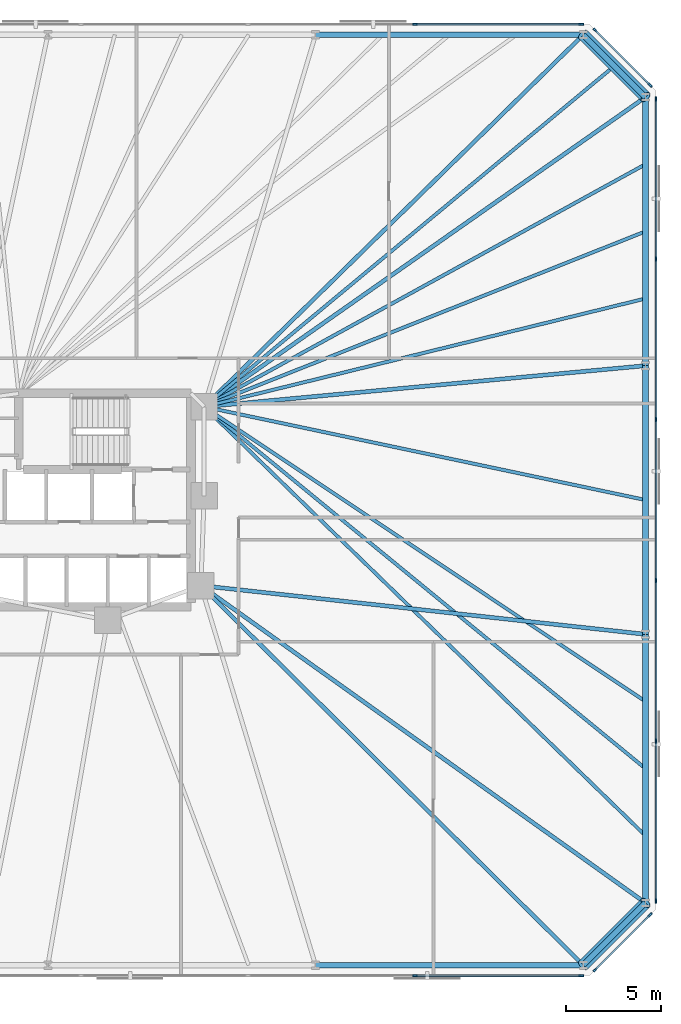
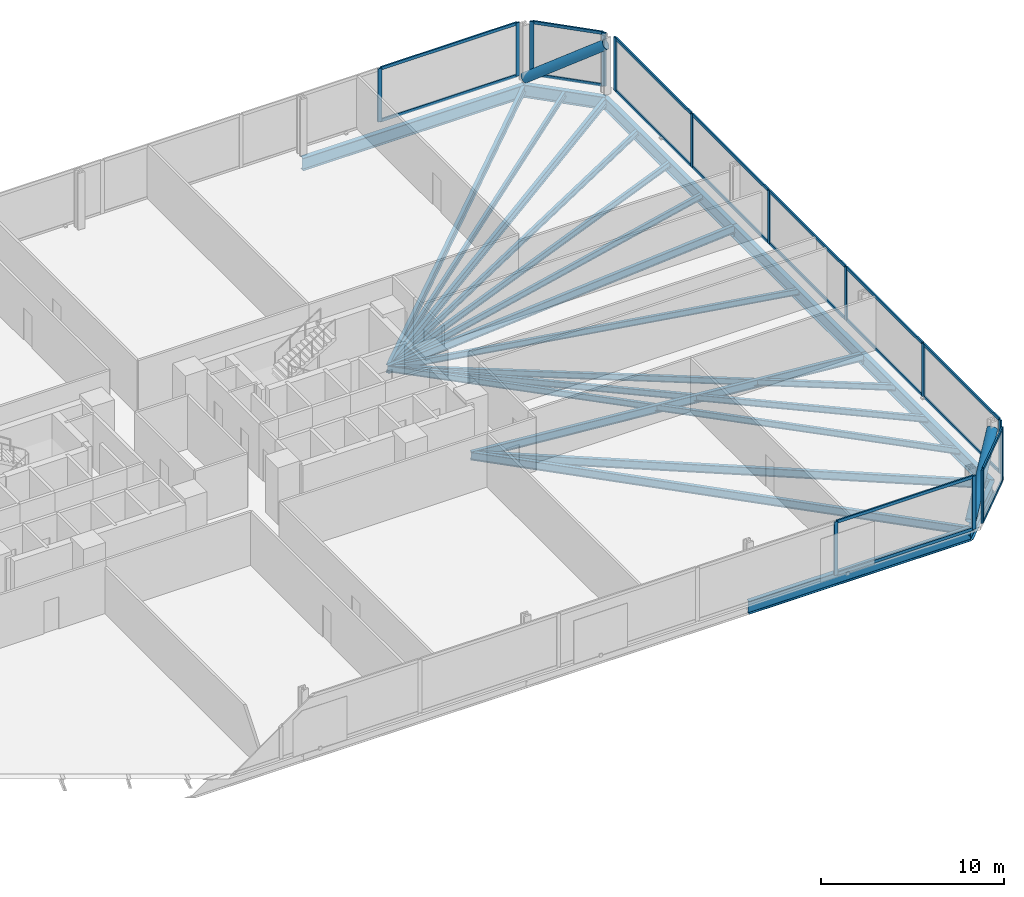
# One storey, part 10 of 17: 34 members, 21 beams, 5 elements without a shape of their own.
"""IFC4 building model written with IfcOpenShell, lengths in metres."""

from ifc_helpers import new_model, si_unit, direction, frame, origin, origin_2d, place, context, subcontext, project, spatial, rectangle, hollow_circle, i_section, extrude, material, material_profile, profile_set, type_object, element, aggregate, save


model = new_model("IFC4")

# Units and contexts
model_context = context("Model", 3, precision=1e-05, world=origin(), true_north=direction((0.0, 1.0)))
body_context = subcontext(model_context, "Body", "Model", "MODEL_VIEW")
ifc_project = project(units=[si_unit("LENGTHUNIT", "METRE"), si_unit("AREAUNIT", "SQUARE_METRE"), si_unit("VOLUMEUNIT", "CUBIC_METRE"), si_unit("PLANEANGLEUNIT", "RADIAN"), si_unit("MASSUNIT", "GRAM", prefix="KILO")], contexts=[model_context])

# Site, building, storey
site_placement = place(None, origin())
site = spatial("IfcSite", under=ifc_project, at=site_placement, CompositionType="ELEMENT")
building_placement = place(site_placement, origin())
building = spatial("IfcBuilding", under=site, at=building_placement, Name="Menara Jurai Vektor", CompositionType="ELEMENT")
storey_placement = place(building_placement, frame((0.0, 0.0, 71.199951171875)))
storey = spatial("IfcBuildingStorey", under=building, at=storey_placement, Name="L17", CompositionType="ELEMENT", Elevation=71.199951171875)

# Curtain wall, members
ifc_material_1 = material(Name="Anodised Pale Aluminium & Low-E Double Glazing", Category="aluminium")
curtain_wall_type = type_object("IfcCurtainWallType", Name="CW-BLK1", PredefinedType="NOTDEFINED", material=ifc_material_1)
curtain_wall_1_placement = place(storey_placement, origin())
curtain_wall_1 = element("IfcCurtainWall", 1, at=curtain_wall_1_placement, inside=storey, type_object=curtain_wall_type, Name="Unitised Curtain Wall L17 F01", PredefinedType="NOTDEFINED")
ifc_material_2 = material(Name="Anodised Pale Aluminium Mullion", Category="aluminium")
ifc_material_profile_1 = material_profile(ifc_material_2, rectangle(XDim=0.094970703125, YDim=0.239990234375, at=origin_2d()), Name="ALU MUL 95x240")
ifc_profile_set_1 = profile_set([ifc_material_profile_1], Name="Anodised Pale Aluminium Mullion")
member_type_1 = type_object("IfcMemberType", Name="CW-BLK1-MUL", PredefinedType="MULLION", material=ifc_profile_set_1)
member_1_placement = place(storey_placement, frame((26.340087890625, -25.0, 0.0), z_axis=(0.0, 0.0, 1.0), x_axis=(0.0, 1.0, 0.0)))
member_1 = element("IfcMember", 2, at=member_1_placement, type_object=member_type_1, Name="CW-01 mullion 8", PredefinedType="MULLION", context=body_context, shape_type="SweptSolid", body=[
    extrude(rectangle(XDim=0.094970703125, YDim=0.239990234375, at=origin_2d()), origin(), (0.0, 0.0, 1.0), 3.574951171875),
])
member_2_placement = place(storey_placement, frame((35.072509765625, -25.0, 0.0), z_axis=(0.0, 0.0, 1.0), x_axis=(0.0, 1.0, 0.0)))
member_2 = element("IfcMember", 3, at=member_2_placement, type_object=member_type_1, Name="CW-01 mullion 9", PredefinedType="MULLION", context=body_context, shape_type="SweptSolid", body=[
    extrude(rectangle(XDim=0.094970703125, YDim=0.239990234375, at=origin_2d()), origin(), (0.0, 0.0, 1.0), 3.574951171875),
])

curtain_wall_2_placement = place(storey_placement, origin())
curtain_wall_2 = element("IfcCurtainWall", 4, at=curtain_wall_2_placement, inside=storey, type_object=curtain_wall_type, Name="Unitised Curtain Wall L17 F02", PredefinedType="NOTDEFINED")
member_3_placement = place(storey_placement, frame((35.80224609375, -24.69775390625, 0.0), z_axis=(0.0, 0.0, 1.0), x_axis=(-0.707106781187, 0.707106781187, 0.0)))
member_3 = element("IfcMember", 5, at=member_3_placement, type_object=member_type_1, Name="CW-01 mullion 1", PredefinedType="MULLION", context=body_context, shape_type="SweptSolid", body=[
    extrude(rectangle(XDim=0.094970703125, YDim=0.239990234375, at=origin_2d()), origin(), (0.0, 0.0, 1.0), 3.574951171875),
])
member_4_placement = place(storey_placement, frame((38.69775390625, -21.80224609375, 0.0), z_axis=(0.0, 0.0, 1.0), x_axis=(-0.707106781187, 0.707106781187, 0.0)))
member_4 = element("IfcMember", 6, at=member_4_placement, type_object=member_type_1, Name="CW-01 mullion 2", PredefinedType="MULLION", context=body_context, shape_type="SweptSolid", body=[
    extrude(rectangle(XDim=0.094970703125, YDim=0.239990234375, at=origin_2d()), origin(), (0.0, 0.0, 1.0), 3.574951171875),
])

curtain_wall_3_placement = place(storey_placement, origin())
curtain_wall_3 = element("IfcCurtainWall", 7, at=curtain_wall_3_placement, inside=storey, type_object=curtain_wall_type, Name="Unitised Curtain Wall L17 F03", PredefinedType="NOTDEFINED")
member_5_placement = place(storey_placement, frame((39.0, -21.072509765625, 0.0), z_axis=(0.0, 0.0, 1.0), x_axis=(-1.0, 0.0, 0.0)))
member_5 = element("IfcMember", 8, at=member_5_placement, type_object=member_type_1, Name="CW-01 mullion 1", PredefinedType="MULLION", context=body_context, shape_type="SweptSolid", body=[
    extrude(rectangle(XDim=0.094970703125, YDim=0.239990234375, at=origin_2d()), origin(), (0.0, 0.0, 1.0), 3.574951171875),
])
member_6_placement = place(storey_placement, frame((39.0, -12.672119140625, 0.0), z_axis=(0.0, 0.0, 1.0), x_axis=(-1.0, 0.0, 0.0)))
member_6 = element("IfcMember", 9, at=member_6_placement, type_object=member_type_1, Name="CW-01 mullion 2", PredefinedType="MULLION", context=body_context, shape_type="SweptSolid", body=[
    extrude(rectangle(XDim=0.094970703125, YDim=0.239990234375, at=origin_2d()), origin(), (0.0, 0.0, 1.0), 3.574951171875),
])
member_7_placement = place(storey_placement, frame((39.0, -4.22412109375, 0.0), z_axis=(0.0, 0.0, 1.0), x_axis=(-1.0, 0.0, 0.0)))
member_7 = element("IfcMember", 10, at=member_7_placement, type_object=member_type_1, Name="CW-01 mullion 3", PredefinedType="MULLION", context=body_context, shape_type="SweptSolid", body=[
    extrude(rectangle(XDim=0.094970703125, YDim=0.239990234375, at=origin_2d()), origin(), (0.0, 0.0, 1.0), 3.574951171875),
])
member_8_placement = place(storey_placement, frame((39.0, 4.22412109375, 0.0), z_axis=(0.0, 0.0, 1.0), x_axis=(-1.0, 0.0, 0.0)))
member_8 = element("IfcMember", 11, at=member_8_placement, type_object=member_type_1, Name="CW-01 mullion 4", PredefinedType="MULLION", context=body_context, shape_type="SweptSolid", body=[
    extrude(rectangle(XDim=0.094970703125, YDim=0.239990234375, at=origin_2d()), origin(), (0.0, 0.0, 1.0), 3.574951171875),
])
member_9_placement = place(storey_placement, frame((39.0, 12.672119140625, 0.0), z_axis=(0.0, 0.0, 1.0), x_axis=(-1.0, 0.0, 0.0)))
member_9 = element("IfcMember", 12, at=member_9_placement, type_object=member_type_1, Name="CW-01 mullion 5", PredefinedType="MULLION", context=body_context, shape_type="SweptSolid", body=[
    extrude(rectangle(XDim=0.094970703125, YDim=0.239990234375, at=origin_2d()), origin(), (0.0, 0.0, 1.0), 3.574951171875),
])
member_10_placement = place(storey_placement, frame((39.0, 21.072509765625, 0.0), z_axis=(0.0, 0.0, 1.0), x_axis=(-1.0, 0.0, 0.0)))
member_10 = element("IfcMember", 13, at=member_10_placement, type_object=member_type_1, Name="CW-01 mullion 6", PredefinedType="MULLION", context=body_context, shape_type="SweptSolid", body=[
    extrude(rectangle(XDim=0.094970703125, YDim=0.239990234375, at=origin_2d()), origin(), (0.0, 0.0, 1.0), 3.574951171875),
])

curtain_wall_4_placement = place(storey_placement, origin())
curtain_wall_4 = element("IfcCurtainWall", 14, at=curtain_wall_4_placement, inside=storey, type_object=curtain_wall_type, Name="Unitised Curtain Wall L17 F04", PredefinedType="NOTDEFINED")
member_11_placement = place(storey_placement, frame((38.69775390625, 21.80224609375, 0.0), z_axis=(0.0, 0.0, 1.0), x_axis=(-0.707106781187, -0.707106781187, 0.0)))
member_11 = element("IfcMember", 15, at=member_11_placement, type_object=member_type_1, Name="CW-01 mullion 1", PredefinedType="MULLION", context=body_context, shape_type="SweptSolid", body=[
    extrude(rectangle(XDim=0.094970703125, YDim=0.239990234375, at=origin_2d()), origin(), (0.0, 0.0, 1.0), 3.574951171875),
])
member_12_placement = place(storey_placement, frame((35.80224609375, 24.69775390625, 0.0), z_axis=(0.0, 0.0, 1.0), x_axis=(-0.707106781187, -0.707106781187, 0.0)))
member_12 = element("IfcMember", 16, at=member_12_placement, type_object=member_type_1, Name="CW-01 mullion 2", PredefinedType="MULLION", context=body_context, shape_type="SweptSolid", body=[
    extrude(rectangle(XDim=0.094970703125, YDim=0.239990234375, at=origin_2d()), origin(), (0.0, 0.0, 1.0), 3.574951171875),
])

curtain_wall_5_placement = place(storey_placement, origin())
curtain_wall_5 = element("IfcCurtainWall", 17, at=curtain_wall_5_placement, inside=storey, type_object=curtain_wall_type, Name="Unitised Curtain Wall L17 F05", PredefinedType="NOTDEFINED")
member_13_placement = place(storey_placement, frame((35.072509765625, 25.0, 0.0), z_axis=(0.0, 0.0, 1.0), x_axis=(0.0, -1.0, 0.0)))
member_13 = element("IfcMember", 18, at=member_13_placement, type_object=member_type_1, Name="CW-01 mullion 1", PredefinedType="MULLION", context=body_context, shape_type="SweptSolid", body=[
    extrude(rectangle(XDim=0.094970703125, YDim=0.239990234375, at=origin_2d()), origin(), (0.0, 0.0, 1.0), 3.574951171875),
])
member_14_placement = place(storey_placement, frame((26.340087890625, 25.0, 0.0), z_axis=(0.0, 0.0, 1.0), x_axis=(0.0, -1.0, 0.0)))
member_14 = element("IfcMember", 19, at=member_14_placement, type_object=member_type_1, Name="CW-01 mullion 2", PredefinedType="MULLION", context=body_context, shape_type="SweptSolid", body=[
    extrude(rectangle(XDim=0.094970703125, YDim=0.239990234375, at=origin_2d()), origin(), (0.0, 0.0, 1.0), 3.574951171875),
])

# Member
ifc_material_3 = material(Name="Anodised Pale Aluminium Transom", Category="aluminium")
ifc_material_profile_2 = material_profile(ifc_material_3, rectangle(XDim=0.094970703125, YDim=0.199951171875, at=origin_2d()), Name="ALU TRN 95x200")
ifc_profile_set_2 = profile_set([ifc_material_profile_2], Name="Anodised Pale Aluminium Transom")
member_type_2 = type_object("IfcMemberType", Name="CW-BLK1-TRN", PredefinedType="USERDEFINED", material=ifc_profile_set_2)
member_15_placement = place(storey_placement, frame((26.387451171875, -25.0, 0.047607421875), z_axis=(1.0, 0.0, 0.0), x_axis=(0.0, 1.0, 0.0)))
member_15 = element("IfcMember", 20, at=member_15_placement, type_object=member_type_2, Name="CW-01 transom 8.1", ObjectType="TRANSOM", PredefinedType="USERDEFINED", context=body_context, shape_type="SweptSolid", body=[
    extrude(rectangle(XDim=0.094970703125, YDim=0.199951171875, at=origin_2d()), origin(), (0.0, 0.0, 1.0), 8.637451171875),
])

member_16_placement = place(storey_placement, frame((26.387451171875, -25.0, 3.527587890625), z_axis=(1.0, 0.0, 0.0), x_axis=(0.0, 1.0, 0.0)))
member_16 = element("IfcMember", 21, at=member_16_placement, type_object=member_type_2, Name="CW-01 transom 8.2", ObjectType="TRANSOM", PredefinedType="USERDEFINED", context=body_context, shape_type="SweptSolid", body=[
    extrude(rectangle(XDim=0.094970703125, YDim=0.199951171875, at=origin_2d()), origin(), (0.0, 0.0, 1.0), 8.637451171875),
])

aggregate(curtain_wall_1, [member_1, member_2, member_15, member_16])

member_17_placement = place(storey_placement, frame((35.8359375, -24.6640625, 0.047607421875), z_axis=(0.707106781187, 0.707106781187, 0.0), x_axis=(-0.707106781187, 0.707106781187, 0.0)))
member_17 = element("IfcMember", 22, at=member_17_placement, type_object=member_type_2, Name="CW-01 transom 1.1", ObjectType="TRANSOM", PredefinedType="USERDEFINED", context=body_context, shape_type="SweptSolid", body=[
    extrude(rectangle(XDim=0.094970703125, YDim=0.199951171875, at=origin_2d()), origin(), (0.0, 0.0, 1.0), 3.99951171875),
])

member_18_placement = place(storey_placement, frame((35.8359375, -24.6640625, 3.527587890625), z_axis=(0.707106781187, 0.707106781187, 0.0), x_axis=(-0.707106781187, 0.707106781187, 0.0)))
member_18 = element("IfcMember", 23, at=member_18_placement, type_object=member_type_2, Name="CW-01 transom 1.2", ObjectType="TRANSOM", PredefinedType="USERDEFINED", context=body_context, shape_type="SweptSolid", body=[
    extrude(rectangle(XDim=0.094970703125, YDim=0.199951171875, at=origin_2d()), origin(), (0.0, 0.0, 1.0), 3.99951171875),
])

aggregate(curtain_wall_2, [member_3, member_4, member_17, member_18])

member_19_placement = place(storey_placement, frame((39.0, -21.02490234375, 0.047607421875), z_axis=(0.0, 1.0, 0.0), x_axis=(-1.0, 0.0, 0.0)))
member_19 = element("IfcMember", 24, at=member_19_placement, type_object=member_type_2, Name="CW-01 transom 1.1", ObjectType="TRANSOM", PredefinedType="USERDEFINED", context=body_context, shape_type="SweptSolid", body=[
    extrude(rectangle(XDim=0.094970703125, YDim=0.199951171875, at=origin_2d()), origin(), (0.0, 0.0, 1.0), 8.305419921875),
])

member_20_placement = place(storey_placement, frame((39.0, -21.02490234375, 3.527587890625), z_axis=(0.0, 1.0, 0.0), x_axis=(-1.0, 0.0, 0.0)))
member_20 = element("IfcMember", 25, at=member_20_placement, type_object=member_type_2, Name="CW-01 transom 1.2", ObjectType="TRANSOM", PredefinedType="USERDEFINED", context=body_context, shape_type="SweptSolid", body=[
    extrude(rectangle(XDim=0.094970703125, YDim=0.199951171875, at=origin_2d()), origin(), (0.0, 0.0, 1.0), 8.305419921875),
])

member_21_placement = place(storey_placement, frame((39.0, -12.62451171875, 0.047607421875), z_axis=(0.0, 1.0, 0.0), x_axis=(-1.0, 0.0, 0.0)))
member_21 = element("IfcMember", 26, at=member_21_placement, type_object=member_type_2, Name="CW-01 transom 2.1", ObjectType="TRANSOM", PredefinedType="USERDEFINED", context=body_context, shape_type="SweptSolid", body=[
    extrude(rectangle(XDim=0.094970703125, YDim=0.199951171875, at=origin_2d()), origin(), (0.0, 0.0, 1.0), 8.35302734375),
])

member_22_placement = place(storey_placement, frame((39.0, -12.62451171875, 3.527587890625), z_axis=(0.0, 1.0, 0.0), x_axis=(-1.0, 0.0, 0.0)))
member_22 = element("IfcMember", 27, at=member_22_placement, type_object=member_type_2, Name="CW-01 transom 2.2", ObjectType="TRANSOM", PredefinedType="USERDEFINED", context=body_context, shape_type="SweptSolid", body=[
    extrude(rectangle(XDim=0.094970703125, YDim=0.199951171875, at=origin_2d()), origin(), (0.0, 0.0, 1.0), 8.35302734375),
])

member_23_placement = place(storey_placement, frame((39.0, -4.176513671875, 0.047607421875), z_axis=(0.0, 1.0, 0.0), x_axis=(-1.0, 0.0, 0.0)))
member_23 = element("IfcMember", 28, at=member_23_placement, type_object=member_type_2, Name="CW-01 transom 3.1", ObjectType="TRANSOM", PredefinedType="USERDEFINED", context=body_context, shape_type="SweptSolid", body=[
    extrude(rectangle(XDim=0.094970703125, YDim=0.199951171875, at=origin_2d()), origin(), (0.0, 0.0, 1.0), 8.35302734375),
])

member_24_placement = place(storey_placement, frame((39.0, -4.176513671875, 3.527587890625), z_axis=(0.0, 1.0, 0.0), x_axis=(-1.0, 0.0, 0.0)))
member_24 = element("IfcMember", 29, at=member_24_placement, type_object=member_type_2, Name="CW-01 transom 3.2", ObjectType="TRANSOM", PredefinedType="USERDEFINED", context=body_context, shape_type="SweptSolid", body=[
    extrude(rectangle(XDim=0.094970703125, YDim=0.199951171875, at=origin_2d()), origin(), (0.0, 0.0, 1.0), 8.35302734375),
])

member_25_placement = place(storey_placement, frame((39.0, 4.271484375, 0.047607421875), z_axis=(0.0, 1.0, 0.0), x_axis=(-1.0, 0.0, 0.0)))
member_25 = element("IfcMember", 30, at=member_25_placement, type_object=member_type_2, Name="CW-01 transom 4.1", ObjectType="TRANSOM", PredefinedType="USERDEFINED", context=body_context, shape_type="SweptSolid", body=[
    extrude(rectangle(XDim=0.094970703125, YDim=0.199951171875, at=origin_2d()), origin(), (0.0, 0.0, 1.0), 8.35302734375),
])

member_26_placement = place(storey_placement, frame((39.0, 4.271484375, 3.527587890625), z_axis=(0.0, 1.0, 0.0), x_axis=(-1.0, 0.0, 0.0)))
member_26 = element("IfcMember", 31, at=member_26_placement, type_object=member_type_2, Name="CW-01 transom 4.2", ObjectType="TRANSOM", PredefinedType="USERDEFINED", context=body_context, shape_type="SweptSolid", body=[
    extrude(rectangle(XDim=0.094970703125, YDim=0.199951171875, at=origin_2d()), origin(), (0.0, 0.0, 1.0), 8.35302734375),
])

member_27_placement = place(storey_placement, frame((39.0, 12.719482421875, 0.047607421875), z_axis=(0.0, 1.0, 0.0), x_axis=(-1.0, 0.0, 0.0)))
member_27 = element("IfcMember", 32, at=member_27_placement, type_object=member_type_2, Name="CW-01 transom 5.1", ObjectType="TRANSOM", PredefinedType="USERDEFINED", context=body_context, shape_type="SweptSolid", body=[
    extrude(rectangle(XDim=0.094970703125, YDim=0.199951171875, at=origin_2d()), origin(), (0.0, 0.0, 1.0), 8.305419921875),
])

member_28_placement = place(storey_placement, frame((39.0, 12.719482421875, 3.527587890625), z_axis=(0.0, 1.0, 0.0), x_axis=(-1.0, 0.0, 0.0)))
member_28 = element("IfcMember", 33, at=member_28_placement, type_object=member_type_2, Name="CW-01 transom 5.2", ObjectType="TRANSOM", PredefinedType="USERDEFINED", context=body_context, shape_type="SweptSolid", body=[
    extrude(rectangle(XDim=0.094970703125, YDim=0.199951171875, at=origin_2d()), origin(), (0.0, 0.0, 1.0), 8.305419921875),
])

aggregate(curtain_wall_3, [member_5, member_6, member_7, member_8, member_9, member_10, member_19, member_20, member_21, member_22, member_23, member_24, member_25, member_26, member_27, member_28])

member_29_placement = place(storey_placement, frame((38.6640625, 21.8359375, 0.047607421875), z_axis=(-0.707106781187, 0.707106781187, 0.0), x_axis=(-0.707106781187, -0.707106781187, 0.0)))
member_29 = element("IfcMember", 34, at=member_29_placement, type_object=member_type_2, Name="CW-01 transom 1.1", ObjectType="TRANSOM", PredefinedType="USERDEFINED", context=body_context, shape_type="SweptSolid", body=[
    extrude(rectangle(XDim=0.094970703125, YDim=0.199951171875, at=origin_2d()), origin(), (0.0, 0.0, 1.0), 3.99951171875),
])

member_30_placement = place(storey_placement, frame((38.6640625, 21.8359375, 3.527587890625), z_axis=(-0.707106781187, 0.707106781187, 0.0), x_axis=(-0.707106781187, -0.707106781187, 0.0)))
member_30 = element("IfcMember", 35, at=member_30_placement, type_object=member_type_2, Name="CW-01 transom 1.2", ObjectType="TRANSOM", PredefinedType="USERDEFINED", context=body_context, shape_type="SweptSolid", body=[
    extrude(rectangle(XDim=0.094970703125, YDim=0.199951171875, at=origin_2d()), origin(), (0.0, 0.0, 1.0), 3.99951171875),
])

aggregate(curtain_wall_4, [member_11, member_12, member_29, member_30])

member_31_placement = place(storey_placement, frame((35.02490234375, 25.0, 0.047607421875), z_axis=(-1.0, 0.0, 0.0), x_axis=(0.0, -1.0, 0.0)))
member_31 = element("IfcMember", 36, at=member_31_placement, type_object=member_type_2, Name="CW-01 transom 1.1", ObjectType="TRANSOM", PredefinedType="USERDEFINED", context=body_context, shape_type="SweptSolid", body=[
    extrude(rectangle(XDim=0.094970703125, YDim=0.199951171875, at=origin_2d()), origin(), (0.0, 0.0, 1.0), 8.637451171875),
])

member_32_placement = place(storey_placement, frame((35.02490234375, 25.0, 3.527587890625), z_axis=(-1.0, 0.0, 0.0), x_axis=(0.0, -1.0, 0.0)))
member_32 = element("IfcMember", 37, at=member_32_placement, type_object=member_type_2, Name="CW-01 transom 1.2", ObjectType="TRANSOM", PredefinedType="USERDEFINED", context=body_context, shape_type="SweptSolid", body=[
    extrude(rectangle(XDim=0.094970703125, YDim=0.199951171875, at=origin_2d()), origin(), (0.0, 0.0, 1.0), 8.637451171875),
])

aggregate(curtain_wall_5, [member_13, member_14, member_31, member_32])

# Beams
ifc_material_4 = material(Name="Steel S355", Category="steel")
ifc_material_profile_3 = material_profile(ifc_material_4, i_section(OverallWidth=0.2109375, OverallDepth=0.5390625, WebThickness=0.011962890625, FlangeThickness=0.01904296875, FilletRadius=0.012939453125, at=origin_2d()), Name="UKB 533x210x109")
ifc_profile_set_3 = profile_set([ifc_material_profile_3], Name="Steel S355")
beam_type_1 = type_object("IfcBeamType", Name="STR-BM-533", PredefinedType="BEAM", material=ifc_profile_set_3)
beam_1_placement = place(storey_placement, frame((35.177734375, -24.449951171875, -0.494384765625), z_axis=(-0.709709931659, 0.704494011972, 0.0), x_axis=(-0.704494011972, -0.709709931659, 0.0)))
element("IfcBeam", 38, at=beam_1_placement, inside=storey, type_object=beam_type_1, Name="Radial Floor Girder L17-S6", PredefinedType="BEAM", context=body_context, shape_type="SweptSolid", body=[
    extrude(i_section(OverallWidth=0.2109375, OverallDepth=0.5390625, WebThickness=0.011962890625, FlangeThickness=0.01904296875, FilletRadius=0.012939453125, at=origin_2d()), origin(), (0.0, 0.0, 1.0), 28.318115234375),
])
beam_2_placement = place(storey_placement, frame((38.449951171875, -21.177734375, -0.494384765625), z_axis=(-0.813981033216, 0.580891450759, 0.0), x_axis=(-0.580891450759, -0.813981033216, 0.0)))
element("IfcBeam", 39, at=beam_2_placement, inside=storey, type_object=beam_type_1, Name="Radial Floor Girder L17-E1", PredefinedType="BEAM", context=body_context, shape_type="SweptSolid", body=[
    extrude(i_section(OverallWidth=0.2109375, OverallDepth=0.5390625, WebThickness=0.011962890625, FlangeThickness=0.01904296875, FilletRadius=0.012939453125, at=origin_2d()), origin(), (0.0, 0.0, 1.0), 28.710693359375),
])
beam_3_placement = place(storey_placement, frame((38.449951171875, -7.059326171875, -0.494384765625), z_axis=(-0.994056757953, 0.108863042253, 0.0), x_axis=(-0.108863042253, -0.994056757953, 0.0)))
element("IfcBeam", 40, at=beam_3_placement, inside=storey, type_object=beam_type_1, Name="Radial Floor Girder L17-E2", PredefinedType="BEAM", context=body_context, shape_type="SweptSolid", body=[
    extrude(i_section(OverallWidth=0.2109375, OverallDepth=0.5390625, WebThickness=0.011962890625, FlangeThickness=0.01904296875, FilletRadius=0.012939453125, at=origin_2d()), origin(), (0.0, 0.0, 1.0), 23.509521484375),
])
beam_4_placement = place(storey_placement, frame((38.449951171875, 7.059326171875, -0.494384765625), z_axis=(-0.995696113112, -0.092678208514, 0.0), x_axis=(0.092678208514, -0.995696113112, 0.0)))
element("IfcBeam", 41, at=beam_4_placement, inside=storey, type_object=beam_type_1, Name="Radial Floor Girder L17-E3", PredefinedType="BEAM", context=body_context, shape_type="SweptSolid", body=[
    extrude(i_section(OverallWidth=0.2109375, OverallDepth=0.5390625, WebThickness=0.011962890625, FlangeThickness=0.01904296875, FilletRadius=0.012939453125, at=origin_2d()), origin(), (0.0, 0.0, 1.0), 23.30029296875),
])
beam_5_placement = place(storey_placement, frame((38.449951171875, 21.177734375, -0.494384765625), z_axis=(-0.818603732445, -0.574358711283, 0.0), x_axis=(0.574358711283, -0.818603732445, 0.0)))
element("IfcBeam", 42, at=beam_5_placement, inside=storey, type_object=beam_type_1, Name="Radial Floor Girder L17-E4", PredefinedType="BEAM", context=body_context, shape_type="SweptSolid", body=[
    extrude(i_section(OverallWidth=0.2109375, OverallDepth=0.5390625, WebThickness=0.011962890625, FlangeThickness=0.01904296875, FilletRadius=0.012939453125, at=origin_2d()), origin(), (0.0, 0.0, 1.0), 28.3408203125),
])
beam_6_placement = place(storey_placement, frame((35.177734375, 24.449951171875, -0.494384765625), z_axis=(-0.713839032855, -0.700309813706, 0.0), x_axis=(0.700309813706, -0.713839032855, 0.0)))
element("IfcBeam", 43, at=beam_6_placement, inside=storey, type_object=beam_type_1, Name="Radial Floor Girder L17-N1", PredefinedType="BEAM", context=body_context, shape_type="SweptSolid", body=[
    extrude(i_section(OverallWidth=0.2109375, OverallDepth=0.5390625, WebThickness=0.011962890625, FlangeThickness=0.01904296875, FilletRadius=0.012939453125, at=origin_2d()), origin(), (0.0, 0.0, 1.0), 27.916259765625),
])

# Members
ifc_material_5 = material(Name="Steel S460", Category="steel")
ifc_material_profile_4 = material_profile(ifc_material_5, hollow_circle(Radius=0.304931640625, WallThickness=0.02490234375, at=origin_2d()), Name="CHS 610x25")
ifc_profile_set_4 = profile_set([ifc_material_profile_4], Name="Steel S460")
member_type_3 = type_object("IfcMemberType", Name="STR-BR-610", PredefinedType="BRACE", material=ifc_profile_set_4)
for number, where, z_axis, x_axis, name in (
    (44, (35.177734375, -24.449951171875, 0.150146484375), (0.588942422958, 0.588942422958, 0.553438022619), (-0.707106781187, 0.707106781187, 0.0), "Exoskeleton Corner Brace L17-1"),
    (45, (35.177734375, 24.449951171875, 0.150146484375), (0.588942422958, -0.588942422958, 0.553438022619), (0.707106781187, 0.707106781187, 0.0), "Exoskeleton Corner Brace L17-2"),
):
    element("IfcMember", number, at=place(storey_placement, frame(where, z_axis=z_axis, x_axis=x_axis)), inside=storey, type_object=member_type_3, Name=name, PredefinedType="BRACE", context=body_context, shape_type="SweptSolid", body=[
        extrude(hollow_circle(Radius=0.304931640625, WallThickness=0.02490234375, at=origin_2d()), origin(), (0.0, 0.0, 1.0), 5.55615234375),
    ])

# Beams
ifc_material_profile_5 = material_profile(ifc_material_4, i_section(OverallWidth=0.178955078125, OverallDepth=0.408935546875, WebThickness=0.009033203125, FlangeThickness=0.013916015625, FilletRadius=0.010009765625, at=origin_2d()), Name="UKB 406x178x67")
ifc_profile_set_5 = profile_set([ifc_material_profile_5], Name="Steel S355")
beam_type_2 = type_object("IfcBeamType", Name="STR-JS-406", PredefinedType="JOIST", material=ifc_profile_set_5)
beam_7_placement = place(storey_placement, frame((38.449951171875, -17.648193359375, -0.429443359375), z_axis=(-0.71710942187, 0.696960599363, 0.0), x_axis=(-0.696960599363, -0.71710942187, 0.0)))
element("IfcBeam", 46, at=beam_7_placement, inside=storey, type_object=beam_type_2, Name="Radial Secondary Floor Joist L17-JS08", PredefinedType="JOIST", context=body_context, shape_type="SweptSolid", body=[
    extrude(i_section(OverallWidth=0.178955078125, OverallDepth=0.408935546875, WebThickness=0.009033203125, FlangeThickness=0.013916015625, FilletRadius=0.010009765625, at=origin_2d()), origin(), (0.0, 0.0, 1.0), 32.35205078125),
])
beam_8_placement = place(storey_placement, frame((38.449951171875, -14.118408203125, -0.429443359375), z_axis=(-0.773360118456, 0.633966976413, 0.0), x_axis=(-0.633966976413, -0.773360118456, 0.0)))
element("IfcBeam", 47, at=beam_8_placement, inside=storey, type_object=beam_type_2, Name="Radial Secondary Floor Joist L17-JS09", PredefinedType="JOIST", context=body_context, shape_type="SweptSolid", body=[
    extrude(i_section(OverallWidth=0.178955078125, OverallDepth=0.408935546875, WebThickness=0.009033203125, FlangeThickness=0.013916015625, FilletRadius=0.010009765625, at=origin_2d()), origin(), (0.0, 0.0, 1.0), 29.998779296875),
])
beam_9_placement = place(storey_placement, frame((38.449951171875, -10.5888671875, -0.429443359375), z_axis=(-0.831683872109, 0.555249436627, 0.0), x_axis=(-0.555249436627, -0.831683872109, 0.0)))
element("IfcBeam", 48, at=beam_9_placement, inside=storey, type_object=beam_type_2, Name="Radial Secondary Floor Joist L17-JS10", PredefinedType="JOIST", context=body_context, shape_type="SweptSolid", body=[
    extrude(i_section(OverallWidth=0.178955078125, OverallDepth=0.408935546875, WebThickness=0.009033203125, FlangeThickness=0.013916015625, FilletRadius=0.010009765625, at=origin_2d()), origin(), (0.0, 0.0, 1.0), 27.895263671875),
])
beam_10_placement = place(storey_placement, frame((38.449951171875, 0.0, -0.429443359375), z_axis=(-0.978416084102, 0.206644541109, 0.0), x_axis=(-0.206644541109, -0.978416084102, 0.0)))
element("IfcBeam", 49, at=beam_10_placement, inside=storey, type_object=beam_type_2, Name="Radial Secondary Floor Joist L17-JS11", PredefinedType="JOIST", context=body_context, shape_type="SweptSolid", body=[
    extrude(i_section(OverallWidth=0.178955078125, OverallDepth=0.408935546875, WebThickness=0.009033203125, FlangeThickness=0.013916015625, FilletRadius=0.010009765625, at=origin_2d()), origin(), (0.0, 0.0, 1.0), 23.711669921875),
])
beam_11_placement = place(storey_placement, frame((38.449951171875, 10.5888671875, -0.429443359375), z_axis=(-0.971226234641, -0.238158772976, 0.0), x_axis=(0.238158772976, -0.971226234641, 0.0)))
element("IfcBeam", 50, at=beam_11_placement, inside=storey, type_object=beam_type_2, Name="Radial Secondary Floor Joist L17-JS12", PredefinedType="JOIST", context=body_context, shape_type="SweptSolid", body=[
    extrude(i_section(OverallWidth=0.178955078125, OverallDepth=0.408935546875, WebThickness=0.009033203125, FlangeThickness=0.013916015625, FilletRadius=0.010009765625, at=origin_2d()), origin(), (0.0, 0.0, 1.0), 23.88720703125),
])
beam_12_placement = place(storey_placement, frame((38.449951171875, 14.118408203125, -0.429443359375), z_axis=(-0.929323400723, -0.369266864027, 0.0), x_axis=(0.369266864027, -0.929323400723, 0.0)))
element("IfcBeam", 51, at=beam_12_placement, inside=storey, type_object=beam_type_2, Name="Radial Secondary Floor Joist L17-JS13", PredefinedType="JOIST", context=body_context, shape_type="SweptSolid", body=[
    extrude(i_section(OverallWidth=0.178955078125, OverallDepth=0.408935546875, WebThickness=0.009033203125, FlangeThickness=0.013916015625, FilletRadius=0.010009765625, at=origin_2d()), origin(), (0.0, 0.0, 1.0), 24.96435546875),
])
beam_13_placement = place(storey_placement, frame((38.449951171875, 17.648193359375, -0.429443359375), z_axis=(-0.87640219057, -0.481579900291, 0.0), x_axis=(0.481579900291, -0.87640219057, 0.0)))
element("IfcBeam", 52, at=beam_13_placement, inside=storey, type_object=beam_type_2, Name="Radial Secondary Floor Joist L17-JS14", PredefinedType="JOIST", context=body_context, shape_type="SweptSolid", body=[
    extrude(i_section(OverallWidth=0.178955078125, OverallDepth=0.408935546875, WebThickness=0.009033203125, FlangeThickness=0.013916015625, FilletRadius=0.010009765625, at=origin_2d()), origin(), (0.0, 0.0, 1.0), 26.471923828125),
])
beam_14_placement = place(storey_placement, frame((36.81396484375, 22.81396484375, -0.429443359375), z_axis=(-0.769201173096, -0.639006694259, 0.0), x_axis=(0.639006694259, -0.769201173096, 0.0)))
element("IfcBeam", 53, at=beam_14_placement, inside=storey, type_object=beam_type_2, Name="Radial Secondary Floor Joist L17-JS15", PredefinedType="JOIST", context=body_context, shape_type="SweptSolid", body=[
    extrude(i_section(OverallWidth=0.178955078125, OverallDepth=0.408935546875, WebThickness=0.009033203125, FlangeThickness=0.013916015625, FilletRadius=0.010009765625, at=origin_2d()), origin(), (0.0, 0.0, 1.0), 28.0341796875),
])
ifc_material_profile_6 = material_profile(ifc_material_5, i_section(OverallWidth=0.2939453125, OverallDepth=0.85107421875, WebThickness=0.01611328125, FlangeThickness=0.027099609375, FilletRadius=0.01806640625, at=origin_2d()), Name="UKB 838x292x226")
ifc_profile_set_6 = profile_set([ifc_material_profile_6], Name="Steel S460")
beam_type_3 = type_object("IfcBeamType", Name="STR-SP-838", PredefinedType="SPANDREL", material=ifc_profile_set_6)
beam_15_placement = place(storey_placement, frame((21.106689453125, -24.449951171875, -0.650390625), z_axis=(1.0, 0.0, 0.0), x_axis=(0.0, 1.0, 0.0)))
element("IfcBeam", 54, at=beam_15_placement, inside=storey, type_object=beam_type_3, Name="Exoskeleton Spandrel Beam L17-05", PredefinedType="SPANDREL", context=body_context, shape_type="SweptSolid", body=[
    extrude(i_section(OverallWidth=0.2939453125, OverallDepth=0.85107421875, WebThickness=0.01611328125, FlangeThickness=0.027099609375, FilletRadius=0.01806640625, at=origin_2d()), origin(), (0.0, 0.0, 1.0), 14.071044921875),
])
beam_16_placement = place(storey_placement, frame((35.177734375, -24.449951171875, -0.650390625), z_axis=(0.707106781187, 0.707106781187, 0.0), x_axis=(-0.707106781187, 0.707106781187, 0.0)))
element("IfcBeam", 55, at=beam_16_placement, inside=storey, type_object=beam_type_3, Name="Exoskeleton Spandrel Beam L17-06", PredefinedType="SPANDREL", context=body_context, shape_type="SweptSolid", body=[
    extrude(i_section(OverallWidth=0.2939453125, OverallDepth=0.85107421875, WebThickness=0.01611328125, FlangeThickness=0.027099609375, FilletRadius=0.01806640625, at=origin_2d()), origin(), (0.0, 0.0, 1.0), 4.627685546875),
])
beam_17_placement = place(storey_placement, frame((38.449951171875, -21.177734375, -0.650390625), z_axis=(0.0, 1.0, 0.0), x_axis=(-1.0, 0.0, 0.0)))
element("IfcBeam", 56, at=beam_17_placement, inside=storey, type_object=beam_type_3, Name="Exoskeleton Spandrel Beam L17-07", PredefinedType="SPANDREL", context=body_context, shape_type="SweptSolid", body=[
    extrude(i_section(OverallWidth=0.2939453125, OverallDepth=0.85107421875, WebThickness=0.01611328125, FlangeThickness=0.027099609375, FilletRadius=0.01806640625, at=origin_2d()), origin(), (0.0, 0.0, 1.0), 14.118408203125),
])
beam_18_placement = place(storey_placement, frame((38.449951171875, -7.059326171875, -0.650390625), z_axis=(0.0, 1.0, 0.0), x_axis=(-1.0, 0.0, 0.0)))
element("IfcBeam", 57, at=beam_18_placement, inside=storey, type_object=beam_type_3, Name="Exoskeleton Spandrel Beam L17-08", PredefinedType="SPANDREL", context=body_context, shape_type="SweptSolid", body=[
    extrude(i_section(OverallWidth=0.2939453125, OverallDepth=0.85107421875, WebThickness=0.01611328125, FlangeThickness=0.027099609375, FilletRadius=0.01806640625, at=origin_2d()), origin(), (0.0, 0.0, 1.0), 14.11865234375),
])
beam_19_placement = place(storey_placement, frame((38.449951171875, 7.059326171875, -0.650390625), z_axis=(0.0, 1.0, 0.0), x_axis=(-1.0, 0.0, 0.0)))
element("IfcBeam", 58, at=beam_19_placement, inside=storey, type_object=beam_type_3, Name="Exoskeleton Spandrel Beam L17-09", PredefinedType="SPANDREL", context=body_context, shape_type="SweptSolid", body=[
    extrude(i_section(OverallWidth=0.2939453125, OverallDepth=0.85107421875, WebThickness=0.01611328125, FlangeThickness=0.027099609375, FilletRadius=0.01806640625, at=origin_2d()), origin(), (0.0, 0.0, 1.0), 14.118408203125),
])
beam_20_placement = place(storey_placement, frame((38.449951171875, 21.177734375, -0.650390625), z_axis=(-0.707106781187, 0.707106781187, 0.0), x_axis=(-0.707106781187, -0.707106781187, 0.0)))
element("IfcBeam", 59, at=beam_20_placement, inside=storey, type_object=beam_type_3, Name="Exoskeleton Spandrel Beam L17-10", PredefinedType="SPANDREL", context=body_context, shape_type="SweptSolid", body=[
    extrude(i_section(OverallWidth=0.2939453125, OverallDepth=0.85107421875, WebThickness=0.01611328125, FlangeThickness=0.027099609375, FilletRadius=0.01806640625, at=origin_2d()), origin(), (0.0, 0.0, 1.0), 4.627685546875),
])
beam_21_placement = place(storey_placement, frame((35.177734375, 24.449951171875, -0.650390625), z_axis=(-1.0, 0.0, 0.0), x_axis=(0.0, -1.0, 0.0)))
element("IfcBeam", 60, at=beam_21_placement, inside=storey, type_object=beam_type_3, Name="Exoskeleton Spandrel Beam L17-11", PredefinedType="SPANDREL", context=body_context, shape_type="SweptSolid", body=[
    extrude(i_section(OverallWidth=0.2939453125, OverallDepth=0.85107421875, WebThickness=0.01611328125, FlangeThickness=0.027099609375, FilletRadius=0.01806640625, at=origin_2d()), origin(), (0.0, 0.0, 1.0), 14.071044921875),
])

save(model, "model.ifc")
